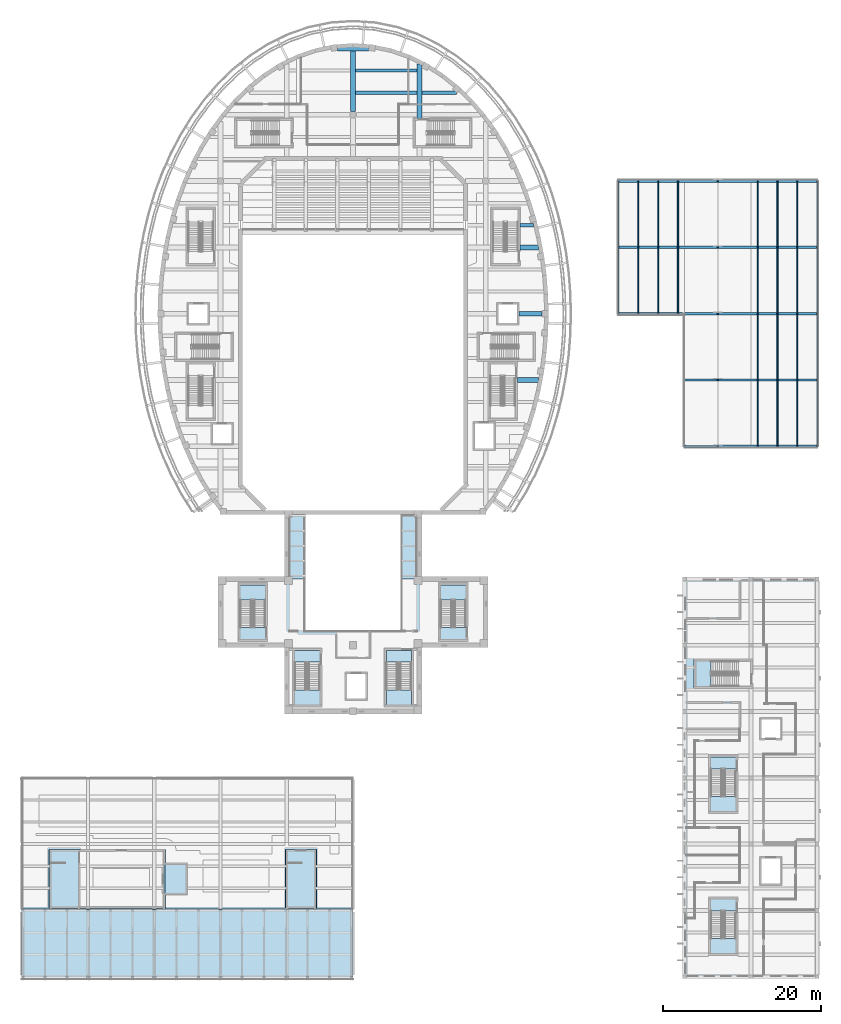
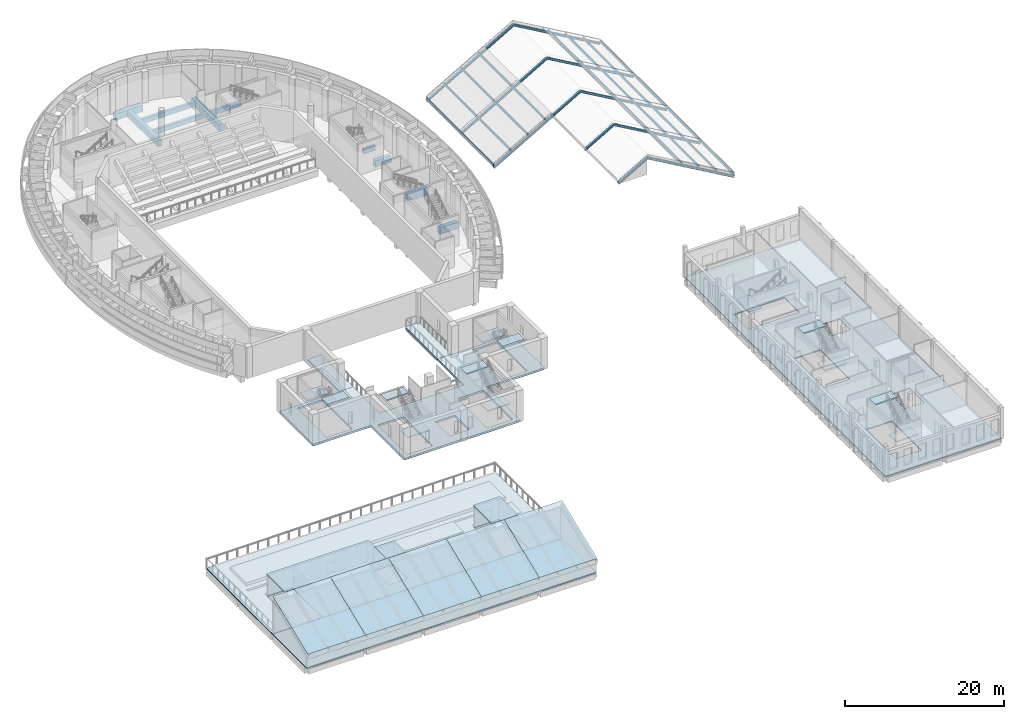
# One storey, part 4 of 37: 28 beams, 27 slabs, 7 elements without a shape of their own.
"""IFC4 building model written with IfcOpenShell, lengths in metres."""

from ifc_helpers import new_model, si_unit, direction, frame, origin, origin_2d, place, context, subcontext, project, spatial, polyline, rectangle, i_section, outline, extrude, material, layer, layer_set, material_profile, profile_set, type_object, element, aggregate, save


model = new_model("IFC4")

# Units and contexts
model_context = context("Model", 3, precision=1e-05, world=origin(), true_north=direction((0.0, 1.0)))
body_context = subcontext(model_context, "Body", "Model", "MODEL_VIEW")
ifc_project = project(units=[si_unit("LENGTHUNIT", "METRE"), si_unit("AREAUNIT", "SQUARE_METRE"), si_unit("VOLUMEUNIT", "CUBIC_METRE"), si_unit("PLANEANGLEUNIT", "RADIAN"), si_unit("MASSUNIT", "GRAM", prefix="KILO")], contexts=[model_context])

# Site, building, storey
site_placement = place(None, origin())
site = spatial("IfcSite", under=ifc_project, at=site_placement, CompositionType="ELEMENT")
building_placement = place(site_placement, origin())
building = spatial("IfcBuilding", under=site, at=building_placement, Name="Larchfold Concert Hall", CompositionType="ELEMENT")
storey_placement = place(building_placement, frame((0.0, 0.0, 19.199951171875)))
storey = spatial("IfcBuildingStorey", under=building, at=storey_placement, Name="L04", CompositionType="ELEMENT", Elevation=19.199951171875)

# Beams
ifc_material_1 = material(Name="Concrete C35/45", Category="concrete")
ifc_material_profile_1 = material_profile(ifc_material_1, rectangle(XDim=0.39990234375, YDim=0.699951171875, at=origin_2d()))
ifc_profile_set_1 = profile_set([ifc_material_profile_1], Name="Concrete C35/45")
beam_type_1 = type_object("IfcBeamType", Name="Beam RC 400x700", PredefinedType="BEAM", material=ifc_profile_set_1)
beam_1_placement = place(storey_placement, frame((63.75, 95.800048828125, -0.550048828125), z_axis=(1.0, 0.0, 0.0), x_axis=(0.0, 1.0, 0.0)))
element("IfcBeam", 1, at=beam_1_placement, inside=storey, type_object=beam_type_1, Name="Beam B1500", PredefinedType="BEAM", context=body_context, shape_type="SweptSolid", body=[
    extrude(rectangle(XDim=0.39990234375, YDim=0.699951171875, at=origin_2d()), origin(), (0.0, 0.0, 1.0), 1.72998046875),
])
beam_2_placement = place(storey_placement, frame((42.89990234375, 112.60009765625, -0.550048828125), z_axis=(1.0, 0.0, 0.0), x_axis=(0.0, 1.0, 0.0)))
element("IfcBeam", 2, at=beam_2_placement, inside=storey, type_object=beam_type_1, Name="Beam B1517", PredefinedType="BEAM", context=body_context, shape_type="SweptSolid", body=[
    extrude(rectangle(XDim=0.39990234375, YDim=0.699951171875, at=origin_2d()), origin(), (0.0, 0.0, 1.0), 7.800048828125),
])
beam_3_placement = place(storey_placement, frame((51.300048828125, 112.60009765625, -0.550048828125), z_axis=(1.0, 0.0, 0.0), x_axis=(0.0, 1.0, 0.0)))
element("IfcBeam", 3, at=beam_3_placement, inside=storey, type_object=beam_type_1, Name="Beam B1518", PredefinedType="BEAM", context=body_context, shape_type="SweptSolid", body=[
    extrude(rectangle(XDim=0.39990234375, YDim=0.699951171875, at=origin_2d()), origin(), (0.0, 0.0, 1.0), 4.395751953125),
])
beam_4_placement = place(storey_placement, frame((42.89990234375, 115.39990234375, -0.550048828125), z_axis=(1.0, 0.0, 0.0), x_axis=(0.0, 1.0, 0.0)))
element("IfcBeam", 4, at=beam_4_placement, inside=storey, type_object=beam_type_1, Name="Beam B1520", PredefinedType="BEAM", context=body_context, shape_type="SweptSolid", body=[
    extrude(rectangle(XDim=0.39990234375, YDim=0.699951171875, at=origin_2d()), origin(), (0.0, 0.0, 1.0), 7.800048828125),
])
ifc_material_2 = material(Name="Concrete C35/45", Category="concrete")
ifc_material_profile_2 = material_profile(ifc_material_2, rectangle(XDim=0.60009765625, YDim=1.0, at=origin_2d()))
ifc_profile_set_2 = profile_set([ifc_material_profile_2], Name="Concrete C35/45")
beam_type_2 = type_object("IfcBeamType", Name="Beam RC 600x1000", PredefinedType="BEAM", material=ifc_profile_set_2)
beam_5_placement = place(storey_placement, frame((42.60009765625, 110.1982421875, -0.699951171875), z_axis=(0.0, 1.0, 0.0), x_axis=(-1.0, 0.0, 0.0)))
element("IfcBeam", 5, at=beam_5_placement, inside=storey, type_object=beam_type_2, Name="Beam B1443", PredefinedType="BEAM", context=body_context, shape_type="SweptSolid", body=[
    extrude(rectangle(XDim=0.60009765625, YDim=1.0, at=origin_2d()), origin(), (0.0, 0.0, 1.0), 8.17138671875),
])
beam_6_placement = place(storey_placement, frame((51.0, 109.35009765625, -0.699951171875), z_axis=(0.0, 1.0, 0.0), x_axis=(-1.0, 0.0, 0.0)))
element("IfcBeam", 6, at=beam_6_placement, inside=storey, type_object=beam_type_2, Name="Beam B1445", PredefinedType="BEAM", context=body_context, shape_type="SweptSolid", body=[
    extrude(rectangle(XDim=0.60009765625, YDim=1.0, at=origin_2d()), origin(), (0.0, 0.0, 1.0), 6.893798828125),
])
beam_7_placement = place(storey_placement, frame((63.39990234375, 76.199951171875, -0.699951171875), z_axis=(1.0, 0.0, 0.0), x_axis=(0.0, 1.0, 0.0)))
element("IfcBeam", 7, at=beam_7_placement, inside=storey, type_object=beam_type_2, Name="Beam B1455", PredefinedType="BEAM", context=body_context, shape_type="SweptSolid", body=[
    extrude(rectangle(XDim=0.60009765625, YDim=1.0, at=origin_2d()), origin(), (0.0, 0.0, 1.0), 2.68994140625),
])
beam_8_placement = place(storey_placement, frame((63.60009765625, 84.60009765625, -0.699951171875), z_axis=(1.0, 0.0, 0.0), x_axis=(0.0, 1.0, 0.0)))
element("IfcBeam", 8, at=beam_8_placement, inside=storey, type_object=beam_type_2, Name="Beam B1459", PredefinedType="BEAM", context=body_context, shape_type="SweptSolid", body=[
    extrude(rectangle(XDim=0.60009765625, YDim=1.0, at=origin_2d()), origin(), (0.0, 0.0, 1.0), 2.949951171875),
])
beam_9_placement = place(storey_placement, frame((63.75, 93.0, -0.699951171875), z_axis=(1.0, 0.0, 0.0), x_axis=(0.0, 1.0, 0.0)))
element("IfcBeam", 9, at=beam_9_placement, inside=storey, type_object=beam_type_2, Name="Beam B1463", PredefinedType="BEAM", context=body_context, shape_type="SweptSolid", body=[
    extrude(rectangle(XDim=0.60009765625, YDim=1.0, at=origin_2d()), origin(), (0.0, 0.0, 1.0), 2.33984375),
])
beam_10_placement = place(storey_placement, frame((40.609619140625, 118.199951171875, -0.699951171875), z_axis=(1.0, 0.0, 0.0), x_axis=(0.0, 1.0, 0.0)))
element("IfcBeam", 10, at=beam_10_placement, inside=storey, type_object=beam_type_2, Name="Beam B1470", PredefinedType="BEAM", context=body_context, shape_type="SweptSolid", body=[
    extrude(rectangle(XDim=0.60009765625, YDim=1.0, at=origin_2d()), origin(), (0.0, 0.0, 1.0), 3.98095703125),
])
ifc_material_3 = material(Name="Glulam GL30c", Category="wood")
ifc_material_profile_3 = material_profile(ifc_material_3, rectangle(XDim=0.139892578125, YDim=0.360107421875, at=origin_2d()))
ifc_profile_set_3 = profile_set([ifc_material_profile_3], Name="Glulam GL30c")
beam_type_3 = type_object("IfcBeamType", Name="Glulam beam GL30c 140x360", PredefinedType="BEAM", material=ifc_profile_set_3)
for number, where, z_axis, x_axis, name in (
    (11, (76.199951171875, 84.580078125, -0.29541015625), (0.0, 1.0, 0.0), (-1.0, 0.0, 0.0), "Beam GL2080"),
    (12, (78.719970703125, 84.580078125, 1.159423828125), (0.0, 1.0, 0.0), (-1.0, 0.0, 0.0), "Beam GL2081"),
    (13, (81.239990234375, 84.580078125, 2.614501953125), (0.0, 1.0, 0.0), (-1.0, 0.0, 0.0), "Beam GL2082"),
    (14, (83.760009765625, 84.580078125, 4.0693359375), (0.0, 1.0, 0.0), (-1.0, 0.0, 0.0), "Beam GL2083"),
):
    element("IfcBeam", number, at=place(storey_placement, frame(where, z_axis=z_axis, x_axis=x_axis)), inside=storey, type_object=beam_type_3, Name=name, PredefinedType="BEAM", context=body_context, shape_type="SweptSolid", body=[
        extrude(rectangle(XDim=0.139892578125, YDim=0.360107421875, at=origin_2d()), origin(), (0.0, 0.0, 1.0), 16.81982421875),
    ])
for number, where, z_axis, x_axis, name in (
    (15, (93.840087890625, 67.800048828125, 4.0693359375), (0.0, 1.0, 0.0), (-1.0, 0.0, 0.0), "Beam GL2086"),
    (16, (96.360107421875, 67.800048828125, 2.614501953125), (0.0, 1.0, 0.0), (-1.0, 0.0, 0.0), "Beam GL2087"),
    (17, (98.8798828125, 67.800048828125, 1.159423828125), (0.0, 1.0, 0.0), (-1.0, 0.0, 0.0), "Beam GL2088"),
    (18, (101.39990234375, 67.800048828125, -0.29541015625), (0.0, 1.0, 0.0), (-1.0, 0.0, 0.0), "Beam GL2089"),
):
    element("IfcBeam", number, at=place(storey_placement, frame(where, z_axis=z_axis, x_axis=x_axis)), inside=storey, type_object=beam_type_3, Name=name, PredefinedType="BEAM", context=body_context, shape_type="SweptSolid", body=[
        extrude(rectangle(XDim=0.139892578125, YDim=0.360107421875, at=origin_2d()), origin(), (0.0, 0.0, 1.0), 33.599853515625),
    ])
ifc_material_4 = material(Name="Steel S355", Category="steel")
ifc_material_profile_4 = material_profile(ifc_material_4, i_section(OverallWidth=0.300048828125, OverallDepth=0.300048828125, WebThickness=0.010986328125, FlangeThickness=0.01904296875, FilletRadius=0.027099609375, at=origin_2d()))
ifc_profile_set_4 = profile_set([ifc_material_profile_4], Name="Steel S355")
beam_type_4 = type_object("IfcBeamType", Name="Steel beam HEB 300", PredefinedType="BEAM", material=ifc_profile_set_4)
beam_11_placement = place(storey_placement, frame((84.580078125, 67.800048828125, 4.212890625), z_axis=(0.866036238319, 0.0, 0.499981233566), x_axis=(0.0, 1.0, 0.0)))
element("IfcBeam", 19, at=beam_11_placement, inside=storey, type_object=beam_type_4, Name="Beam B2070", PredefinedType="BEAM", context=body_context, shape_type="SweptSolid", body=[
    extrude(i_section(OverallWidth=0.300048828125, OverallDepth=0.300048828125, WebThickness=0.010986328125, FlangeThickness=0.01904296875, FilletRadius=0.027099609375, at=origin_2d()), origin(), (0.0, 0.0, 1.0), 4.872802734375),
])
beam_12_placement = place(storey_placement, frame((88.800048828125, 67.800048828125, 6.649169921875), z_axis=(0.866021553013, 0.0, -0.500006669672), x_axis=(0.0, 1.0, 0.0)))
element("IfcBeam", 20, at=beam_12_placement, inside=storey, type_object=beam_type_4, Name="Beam B2071", PredefinedType="BEAM", context=body_context, shape_type="SweptSolid", body=[
    extrude(i_section(OverallWidth=0.300048828125, OverallDepth=0.300048828125, WebThickness=0.010986328125, FlangeThickness=0.01904296875, FilletRadius=0.027099609375, at=origin_2d()), origin(), (0.0, 0.0, 1.0), 14.549072265625),
])
beam_13_placement = place(storey_placement, frame((84.580078125, 76.199951171875, 4.212890625), z_axis=(0.866036238319, 0.0, 0.499981233566), x_axis=(0.0, 1.0, 0.0)))
element("IfcBeam", 21, at=beam_13_placement, inside=storey, type_object=beam_type_4, Name="Beam B2072", PredefinedType="BEAM", context=body_context, shape_type="SweptSolid", body=[
    extrude(i_section(OverallWidth=0.300048828125, OverallDepth=0.300048828125, WebThickness=0.010986328125, FlangeThickness=0.01904296875, FilletRadius=0.027099609375, at=origin_2d()), origin(), (0.0, 0.0, 1.0), 4.872802734375),
])
beam_14_placement = place(storey_placement, frame((88.800048828125, 76.199951171875, 6.649169921875), z_axis=(0.866021553013, 0.0, -0.500006669672), x_axis=(0.0, 1.0, 0.0)))
element("IfcBeam", 22, at=beam_14_placement, inside=storey, type_object=beam_type_4, Name="Beam B2073", PredefinedType="BEAM", context=body_context, shape_type="SweptSolid", body=[
    extrude(i_section(OverallWidth=0.300048828125, OverallDepth=0.300048828125, WebThickness=0.010986328125, FlangeThickness=0.01904296875, FilletRadius=0.027099609375, at=origin_2d()), origin(), (0.0, 0.0, 1.0), 14.549072265625),
])
beam_15_placement = place(storey_placement, frame((76.199951171875, 84.60009765625, -0.62548828125), z_axis=(0.866025748143, 0.0, 0.499999403554), x_axis=(0.0, 1.0, 0.0)))
element("IfcBeam", 23, at=beam_15_placement, inside=storey, type_object=beam_type_4, Name="Beam B2074", PredefinedType="BEAM", context=body_context, shape_type="SweptSolid", body=[
    extrude(i_section(OverallWidth=0.300048828125, OverallDepth=0.300048828125, WebThickness=0.010986328125, FlangeThickness=0.01904296875, FilletRadius=0.027099609375, at=origin_2d()), origin(), (0.0, 0.0, 1.0), 14.54931640625),
])
beam_16_placement = place(storey_placement, frame((88.800048828125, 84.60009765625, 6.649169921875), z_axis=(0.866021553013, 0.0, -0.500006669672), x_axis=(0.0, 1.0, 0.0)))
element("IfcBeam", 24, at=beam_16_placement, inside=storey, type_object=beam_type_4, Name="Beam B2075", PredefinedType="BEAM", context=body_context, shape_type="SweptSolid", body=[
    extrude(i_section(OverallWidth=0.300048828125, OverallDepth=0.300048828125, WebThickness=0.010986328125, FlangeThickness=0.01904296875, FilletRadius=0.027099609375, at=origin_2d()), origin(), (0.0, 0.0, 1.0), 14.549072265625),
])
beam_17_placement = place(storey_placement, frame((76.199951171875, 93.0, -0.62548828125), z_axis=(0.866025748143, 0.0, 0.499999403554), x_axis=(0.0, 1.0, 0.0)))
element("IfcBeam", 25, at=beam_17_placement, inside=storey, type_object=beam_type_4, Name="Beam B2076", PredefinedType="BEAM", context=body_context, shape_type="SweptSolid", body=[
    extrude(i_section(OverallWidth=0.300048828125, OverallDepth=0.300048828125, WebThickness=0.010986328125, FlangeThickness=0.01904296875, FilletRadius=0.027099609375, at=origin_2d()), origin(), (0.0, 0.0, 1.0), 14.54931640625),
])
beam_18_placement = place(storey_placement, frame((88.800048828125, 93.0, 6.649169921875), z_axis=(0.866021553013, 0.0, -0.500006669672), x_axis=(0.0, 1.0, 0.0)))
element("IfcBeam", 26, at=beam_18_placement, inside=storey, type_object=beam_type_4, Name="Beam B2077", PredefinedType="BEAM", context=body_context, shape_type="SweptSolid", body=[
    extrude(i_section(OverallWidth=0.300048828125, OverallDepth=0.300048828125, WebThickness=0.010986328125, FlangeThickness=0.01904296875, FilletRadius=0.027099609375, at=origin_2d()), origin(), (0.0, 0.0, 1.0), 14.549072265625),
])
beam_19_placement = place(storey_placement, frame((76.199951171875, 101.39990234375, -0.62548828125), z_axis=(0.866025748143, 0.0, 0.499999403554), x_axis=(0.0, 1.0, 0.0)))
element("IfcBeam", 27, at=beam_19_placement, inside=storey, type_object=beam_type_4, Name="Beam B2078", PredefinedType="BEAM", context=body_context, shape_type="SweptSolid", body=[
    extrude(i_section(OverallWidth=0.300048828125, OverallDepth=0.300048828125, WebThickness=0.010986328125, FlangeThickness=0.01904296875, FilletRadius=0.027099609375, at=origin_2d()), origin(), (0.0, 0.0, 1.0), 14.54931640625),
])
beam_20_placement = place(storey_placement, frame((88.800048828125, 101.39990234375, 6.649169921875), z_axis=(0.866021553013, 0.0, -0.500006669672), x_axis=(0.0, 1.0, 0.0)))
element("IfcBeam", 28, at=beam_20_placement, inside=storey, type_object=beam_type_4, Name="Beam B2079", PredefinedType="BEAM", context=body_context, shape_type="SweptSolid", body=[
    extrude(i_section(OverallWidth=0.300048828125, OverallDepth=0.300048828125, WebThickness=0.010986328125, FlangeThickness=0.01904296875, FilletRadius=0.027099609375, at=origin_2d()), origin(), (0.0, 0.0, 1.0), 14.549072265625),
])

# Slabs
ifc_material_5 = material(Name="Steel S355", Category="steel")
ifc_layer_1 = layer(ifc_material_5, 0.10009765625)
ifc_layer_set_1 = layer_set([ifc_layer_1], Name="Steel S355")
slab_type_1 = type_object("IfcSlabType", Name="Roof plate 100 insulated", PredefinedType="ROOF", material=ifc_layer_set_1)
for number, where, z_axis, x_axis, name in (
    (29, (9.0, 0.300048828125, 2.263916015625), (0.0, -0.371399508668, 0.928473157911), (0.0, 0.928473157911, 0.371399508668), "Roof plate FP048"),
    (30, (17.39990234375, 0.300048828125, 2.263916015625), (0.0, -0.371399508668, 0.928473157911), (0.0, 0.928473157911, 0.371399508668), "Roof plate FP049"),
):
    element("IfcSlab", number, at=place(storey_placement, frame(where, z_axis=z_axis, x_axis=x_axis)), inside=storey, type_object=slab_type_1, Name=name, PredefinedType="ROOF", context=body_context, shape_type="SweptSolid", body=[
        extrude(outline(polyline([(0.0, 0.0), (9.531620209179867, 0.0), (9.531620209179867, 8.39990234375), (0.0, 8.39990234375), (0.0, 0.0)])), origin(), (0.0, 0.0, -1.0), 0.10009765625),
    ])
slab_1_placement = place(storey_placement, frame((25.800048828125, 0.300048828125, 2.263916015625), z_axis=(0.0, -0.371399508668, 0.928473157911), x_axis=(0.0, 0.928473157911, 0.371399508668)))
element("IfcSlab", 31, at=slab_1_placement, inside=storey, type_object=slab_type_1, Name="Roof plate FP050", PredefinedType="ROOF", context=body_context, shape_type="SweptSolid", body=[
    extrude(outline(polyline([(0.0, 0.0), (9.531620209179867, 0.0), (9.531620209179867, 8.400146484375), (0.0, 8.400146484375), (0.0, 0.0)])), origin(), (0.0, 0.0, -1.0), 0.10009765625),
])
slab_2_placement = place(storey_placement, frame((34.199951171875, 0.300048828125, 2.263916015625), z_axis=(0.0, -0.371399508668, 0.928473157911), x_axis=(0.0, 0.928473157911, 0.371399508668)))
element("IfcSlab", 32, at=slab_2_placement, inside=storey, type_object=slab_type_1, Name="Roof plate FP051", PredefinedType="ROOF", context=body_context, shape_type="SweptSolid", body=[
    extrude(outline(polyline([(0.0, 0.0), (9.531620209179867, 0.0), (9.531620209179867, 8.39990234375), (0.0, 8.39990234375), (0.0, 0.0)])), origin(), (0.0, 0.0, -1.0), 0.10009765625),
])
slab_3_placement = place(storey_placement, frame((42.60009765625, 0.300048828125, 2.263916015625), z_axis=(0.0, -0.371399508668, 0.928473157911), x_axis=(0.0, 0.928473157911, 0.371399508668)))
element("IfcSlab", 33, at=slab_3_placement, inside=storey, type_object=slab_type_1, Name="Roof plate FP052", PredefinedType="ROOF", context=body_context, shape_type="SweptSolid", body=[
    extrude(outline(polyline([(0.0, 0.0), (9.531620209179867, 0.0), (9.531620209179867, 8.400146484375), (0.0, 8.400146484375), (0.0, 0.0)])), origin(), (0.0, 0.0, -1.0), 0.10009765625),
])
ifc_material_6 = material(Name="Concrete C35/45", Category="concrete")
ifc_layer_2 = layer(ifc_material_6, 0.139892578125)
ifc_layer_set_2 = layer_set([ifc_layer_2], Name="Concrete C35/45")
slab_type_2 = type_object("IfcSlabType", Name="Roof slab 140 planted", PredefinedType="ROOF", material=ifc_layer_set_2)
slab_4_placement = place(storey_placement, frame((0.0, 0.0, -0.14013671875)))
element("IfcSlab", 34, at=slab_4_placement, inside=storey, type_object=slab_type_2, Name="Slab S0001", PredefinedType="ROOF", context=body_context, shape_type="SweptSolid", body=[
    extrude(outline(polyline([(0.60009765625, 25.800048828125), (0.60009765625, 9.14990234375), (42.60009765625, 9.14990234375), (42.60009765625, 25.800048828125), (0.60009765625, 25.800048828125)]), holes=[polyline([(7.85009765625, 16.699951171875), (7.85009765625, 9.300048828125), (4.14990234375, 9.300048828125), (4.14990234375, 16.699951171875), (7.85009765625, 16.699951171875)]), polyline([(21.39990234375, 11.199951171875), (18.60009765625, 11.199951171875), (18.60009765625, 14.800048828125), (21.39990234375, 14.800048828125), (21.39990234375, 11.199951171875)]), polyline([(37.85009765625, 9.300048828125), (34.14990234375, 9.300048828125), (34.14990234375, 16.699951171875), (37.85009765625, 16.699951171875), (37.85009765625, 9.300048828125)])]), origin(), (0.0, 0.0, 1.0), 0.14013671875),
])
ifc_material_7 = material(Name="Concrete C35/45", Category="concrete")
ifc_layer_3 = layer(ifc_material_7, 0.139892578125)
ifc_layer_set_3 = layer_set([ifc_layer_3], Name="Concrete C35/45")
slab_type_3 = type_object("IfcSlabType", Name="Slab 140 roof space floor", PredefinedType="FLOOR", material=ifc_layer_set_3)
slab_5_placement = place(storey_placement, frame((0.0, 0.0, -0.14013671875)))
element("IfcSlab", 35, at=slab_5_placement, inside=storey, type_object=slab_type_3, Name="Slab S0007", PredefinedType="FLOOR", context=body_context, shape_type="SweptSolid", body=[
    extrude(outline(polyline([(42.60009765625, 0.60009765625), (42.60009765625, 9.14990234375), (0.60009765625, 9.14990234375), (0.60009765625, 0.60009765625), (42.60009765625, 0.60009765625)])), origin(), (0.0, 0.0, 1.0), 0.14013671875),
])
ifc_material_8 = material(Name="Concrete C35/45", Category="concrete")
ifc_layer_4 = layer(ifc_material_8, 0.159912109375)
ifc_layer_set_4 = layer_set([ifc_layer_4], Name="Concrete C35/45")
slab_type_4 = type_object("IfcSlabType", Name="Slab 160", PredefinedType="FLOOR", material=ifc_layer_set_4)
slab_6_placement = place(storey_placement, frame((0.0, 0.0, -0.16015625)))
element("IfcSlab", 36, at=slab_6_placement, inside=storey, type_object=slab_type_4, Name="Slab S0002", PredefinedType="FLOOR", context=body_context, shape_type="SweptSolid", body=[
    extrude(outline(polyline([(84.60009765625, 0.60009765625), (101.39990234375, 0.60009765625), (101.39990234375, 51.0), (84.60009765625, 51.0), (84.60009765625, 0.60009765625)]), holes=[polyline([(87.64990234375, 3.300048828125), (87.64990234375, 10.699951171875), (91.35009765625, 10.699951171875), (91.35009765625, 3.300048828125), (87.64990234375, 3.300048828125)]), polyline([(94.10009765625, 12.199951171875), (94.10009765625, 15.800048828125), (96.89990234375, 15.800048828125), (96.89990234375, 12.199951171875), (94.10009765625, 12.199951171875)]), polyline([(87.64990234375, 21.300048828125), (87.64990234375, 28.699951171875), (91.35009765625, 28.699951171875), (91.35009765625, 21.300048828125), (87.64990234375, 21.300048828125)]), polyline([(94.10009765625, 33.39990234375), (96.89990234375, 33.39990234375), (96.89990234375, 30.60009765625), (94.10009765625, 30.60009765625), (94.10009765625, 33.39990234375)]), polyline([(85.800048828125, 40.85009765625), (93.199951171875, 40.85009765625), (93.199951171875, 37.14990234375), (85.800048828125, 37.14990234375), (85.800048828125, 40.85009765625)])]), origin(), (0.0, 0.0, 1.0), 0.16015625),
])
ifc_material_9 = material(Name="Concrete C35/45", Category="concrete")
ifc_layer_5 = layer(ifc_material_9, 0.199951171875)
ifc_layer_set_5 = layer_set([ifc_layer_5], Name="Concrete C35/45")
slab_type_5 = type_object("IfcSlabType", Name="Slab 200 external", PredefinedType="ROOF", material=ifc_layer_set_5)
slab_7_placement = place(storey_placement, frame((0.0, 0.0, 3.300048828125)))
element("IfcSlab", 37, at=slab_7_placement, inside=storey, type_object=slab_type_5, Name="Slab HR0001", PredefinedType="ROOF", context=body_context, shape_type="SweptSolid", body=[
    extrude(outline(polyline([(18.85009765625, 9.300048828125), (18.85009765625, 16.699951171875), (4.050048828125, 16.699951171875), (4.050048828125, 9.300048828125), (18.85009765625, 9.300048828125)])), origin(), (0.0, 0.0, 1.0), 0.199951171875),
])
slab_8_placement = place(storey_placement, frame((0.0, 0.0, 3.300048828125)))
element("IfcSlab", 38, at=slab_8_placement, inside=storey, type_object=slab_type_5, Name="Slab HR0002", PredefinedType="ROOF", context=body_context, shape_type="SweptSolid", body=[
    extrude(outline(polyline([(37.949951171875, 9.300048828125), (37.949951171875, 16.699951171875), (34.050048828125, 16.699951171875), (34.050048828125, 9.300048828125), (37.949951171875, 9.300048828125)])), origin(), (0.0, 0.0, 1.0), 0.199951171875),
])
slab_9_placement = place(storey_placement, frame((0.0, 0.0, 3.300048828125)))
element("IfcSlab", 39, at=slab_9_placement, inside=storey, type_object=slab_type_5, Name="Slab HR0003", PredefinedType="ROOF", context=body_context, shape_type="SweptSolid", body=[
    extrude(outline(polyline([(21.599853515625, 11.0), (21.599853515625, 15.0), (18.75, 15.0), (18.75, 11.0), (21.599853515625, 11.0)])), origin(), (0.0, 0.0, 1.0), 0.199951171875),
])
ifc_material_10 = material(Name="Concrete C35/45", Category="concrete")
ifc_layer_6 = layer(ifc_material_10, 0.280029296875)
ifc_layer_set_6 = layer_set([ifc_layer_6], Name="Concrete C35/45")
slab_type_6 = type_object("IfcSlabType", Name="Slab 280 flat plate", PredefinedType="FLOOR", material=ifc_layer_set_6)
slab_10_placement = place(storey_placement, frame((0.0, 0.0, -0.280029296875)))
element("IfcSlab", 40, at=slab_10_placement, inside=storey, type_object=slab_type_6, Name="Slab S0003", PredefinedType="FLOOR", context=body_context, shape_type="SweptSolid", body=[
    extrude(outline(polyline([(59.39990234375, 51.0), (51.0, 51.0), (48.699951171875, 51.0), (48.699951171875, 44.39990234375), (36.5, 44.39990234375), (36.5, 51.0), (34.199951171875, 51.0), (34.199951171875, 59.39990234375), (34.199951171875, 51.0), (25.800048828125, 51.0), (25.800048828125, 42.60009765625), (34.199951171875, 42.60009765625), (34.199951171875, 34.199951171875), (51.0, 34.199951171875), (51.0, 42.60009765625), (59.39990234375, 42.60009765625), (59.39990234375, 51.0)]), holes=[polyline([(41.60009765625, 35.60009765625), (41.60009765625, 39.199951171875), (44.39990234375, 39.199951171875), (44.39990234375, 35.60009765625), (41.60009765625, 35.60009765625)]), polyline([(34.949951171875, 42.199951171875), (38.64990234375, 42.199951171875), (38.64990234375, 34.800048828125), (34.949951171875, 34.800048828125), (34.949951171875, 42.199951171875)]), polyline([(46.550048828125, 42.199951171875), (50.25, 42.199951171875), (50.25, 34.800048828125), (46.550048828125, 34.800048828125), (46.550048828125, 42.199951171875)]), polyline([(28.050048828125, 50.5), (31.75, 50.5), (31.75, 43.10009765625), (28.050048828125, 43.10009765625), (28.050048828125, 50.5)]), polyline([(53.449951171875, 50.5), (57.14990234375, 50.5), (57.14990234375, 43.10009765625), (53.449951171875, 43.10009765625), (53.449951171875, 50.5)])]), origin(), (0.0, 0.0, 1.0), 0.280029296875),
])
slab_11_placement = place(storey_placement, frame((0.0, 0.0, -0.280029296875)))
element("IfcSlab", 41, at=slab_11_placement, inside=storey, type_object=slab_type_6, Name="Slab S0005", PredefinedType="FLOOR", context=body_context, shape_type="SweptSolid", body=[
    extrude(outline(polyline([(36.5, 51.0), (36.5, 59.10009765625), (34.5, 59.10009765625), (34.5, 51.0), (36.5, 51.0)])), origin(), (0.0, 0.0, 1.0), 0.280029296875),
])
slab_12_placement = place(storey_placement, frame((0.0, 0.0, -0.280029296875)))
element("IfcSlab", 42, at=slab_12_placement, inside=storey, type_object=slab_type_6, Name="Slab S0006", PredefinedType="FLOOR", context=body_context, shape_type="SweptSolid", body=[
    extrude(outline(polyline([(50.699951171875, 51.0), (50.699951171875, 59.10009765625), (48.699951171875, 59.10009765625), (48.699951171875, 51.0), (50.699951171875, 51.0)])), origin(), (0.0, 0.0, 1.0), 0.280029296875),
])

# Stair, slabs
ifc_material_11 = material(Name="Concrete C35/45", Category="concrete")
stair_type = type_object("IfcStairType", Name="Stair RC half-turn enclosed", PredefinedType="HALF_TURN_STAIR", material=ifc_material_11)
stair_1_placement = place(storey_placement, origin())
stair_1 = element("IfcStair", 43, at=stair_1_placement, inside=storey, type_object=stair_type, Name="Stair SH1", PredefinedType="HALF_TURN_STAIR")
ifc_material_12 = material(Name="Concrete C35/45", Category="concrete")
ifc_layer_7 = layer(ifc_material_12, 0.199951171875)
ifc_layer_set_7 = layer_set([ifc_layer_7], Name="Concrete C35/45")
slab_type_7 = type_object("IfcSlabType", Name="Stair landing RC 200", PredefinedType="LANDING", material=ifc_layer_set_7)
slab_13_placement = place(storey_placement, frame((0.0, 0.0, 2.199951171875)))
slab_13 = element("IfcSlab", 44, at=slab_13_placement, type_object=slab_type_7, Name="ST09 landing 1", PredefinedType="LANDING", context=body_context, shape_type="SweptSolid", body=[
    extrude(outline(polyline([(31.5, 48.360107421875), (31.5, 50.25), (28.300048828125, 50.25), (28.300048828125, 48.360107421875), (31.5, 48.360107421875)])), origin(), (0.0, 0.0, 1.0), 0.2001953125),
])
slab_14_placement = place(storey_placement, frame((0.0, 0.0, 4.60009765625)))
slab_14 = element("IfcSlab", 45, at=slab_14_placement, type_object=slab_type_7, Name="ST09 landing 2", PredefinedType="LANDING", context=body_context, shape_type="SweptSolid", body=[
    extrude(outline(polyline([(31.5, 43.35009765625), (31.5, 44.85009765625), (28.300048828125, 44.85009765625), (28.300048828125, 43.35009765625), (31.5, 43.35009765625)])), origin(), (0.0, 0.0, 1.0), 0.199951171875),
])
aggregate(stair_1, [slab_13, slab_14])

stair_2_placement = place(storey_placement, origin())
stair_2 = element("IfcStair", 46, at=stair_2_placement, inside=storey, type_object=stair_type, Name="Stair SH2", PredefinedType="HALF_TURN_STAIR")
slab_15_placement = place(storey_placement, frame((0.0, 0.0, 2.199951171875)))
slab_15 = element("IfcSlab", 47, at=slab_15_placement, type_object=slab_type_7, Name="ST10 landing 1", PredefinedType="LANDING", context=body_context, shape_type="SweptSolid", body=[
    extrude(outline(polyline([(56.89990234375, 48.360107421875), (56.89990234375, 50.25), (53.699951171875, 50.25), (53.699951171875, 48.360107421875), (56.89990234375, 48.360107421875)])), origin(), (0.0, 0.0, 1.0), 0.2001953125),
])
slab_16_placement = place(storey_placement, frame((0.0, 0.0, 4.60009765625)))
slab_16 = element("IfcSlab", 48, at=slab_16_placement, type_object=slab_type_7, Name="ST10 landing 2", PredefinedType="LANDING", context=body_context, shape_type="SweptSolid", body=[
    extrude(outline(polyline([(56.89990234375, 43.35009765625), (56.89990234375, 44.85009765625), (53.699951171875, 44.85009765625), (53.699951171875, 43.35009765625), (56.89990234375, 43.35009765625)])), origin(), (0.0, 0.0, 1.0), 0.199951171875),
])
aggregate(stair_2, [slab_15, slab_16])

stair_3_placement = place(storey_placement, origin())
stair_3 = element("IfcStair", 49, at=stair_3_placement, inside=storey, type_object=stair_type, Name="Stair SH3", PredefinedType="HALF_TURN_STAIR")
slab_17_placement = place(storey_placement, frame((0.0, 0.0, 2.199951171875)))
slab_17 = element("IfcSlab", 50, at=slab_17_placement, type_object=slab_type_7, Name="ST11 landing 1", PredefinedType="LANDING", context=body_context, shape_type="SweptSolid", body=[
    extrude(outline(polyline([(35.199951171875, 36.93994140625), (35.199951171875, 35.050048828125), (38.39990234375, 35.050048828125), (38.39990234375, 36.93994140625), (35.199951171875, 36.93994140625)])), origin(), (0.0, 0.0, 1.0), 0.2001953125),
])
slab_18_placement = place(storey_placement, frame((0.0, 0.0, 4.60009765625)))
slab_18 = element("IfcSlab", 51, at=slab_18_placement, type_object=slab_type_7, Name="ST11 landing 2", PredefinedType="LANDING", context=body_context, shape_type="SweptSolid", body=[
    extrude(outline(polyline([(35.199951171875, 41.949951171875), (35.199951171875, 40.449951171875), (38.39990234375, 40.449951171875), (38.39990234375, 41.949951171875), (35.199951171875, 41.949951171875)])), origin(), (0.0, 0.0, 1.0), 0.199951171875),
])
aggregate(stair_3, [slab_17, slab_18])

stair_4_placement = place(storey_placement, origin())
stair_4 = element("IfcStair", 52, at=stair_4_placement, inside=storey, type_object=stair_type, Name="Stair SH4", PredefinedType="HALF_TURN_STAIR")
slab_19_placement = place(storey_placement, frame((0.0, 0.0, 2.199951171875)))
slab_19 = element("IfcSlab", 53, at=slab_19_placement, type_object=slab_type_7, Name="ST12 landing 1", PredefinedType="LANDING", context=body_context, shape_type="SweptSolid", body=[
    extrude(outline(polyline([(46.800048828125, 36.93994140625), (46.800048828125, 35.050048828125), (50.0, 35.050048828125), (50.0, 36.93994140625), (46.800048828125, 36.93994140625)])), origin(), (0.0, 0.0, 1.0), 0.2001953125),
])
slab_20_placement = place(storey_placement, frame((0.0, 0.0, 4.60009765625)))
slab_20 = element("IfcSlab", 54, at=slab_20_placement, type_object=slab_type_7, Name="ST12 landing 2", PredefinedType="LANDING", context=body_context, shape_type="SweptSolid", body=[
    extrude(outline(polyline([(46.800048828125, 41.949951171875), (46.800048828125, 40.449951171875), (50.0, 40.449951171875), (50.0, 41.949951171875), (46.800048828125, 41.949951171875)])), origin(), (0.0, 0.0, 1.0), 0.199951171875),
])
aggregate(stair_4, [slab_19, slab_20])

stair_5_placement = place(storey_placement, origin())
stair_5 = element("IfcStair", 55, at=stair_5_placement, inside=storey, type_object=stair_type, Name="Stair AW1", PredefinedType="HALF_TURN_STAIR")
slab_21_placement = place(storey_placement, frame((0.0, 0.0, 2.199951171875)))
slab_21 = element("IfcSlab", 56, at=slab_21_placement, type_object=slab_type_7, Name="ST13 landing 1", PredefinedType="LANDING", context=body_context, shape_type="SweptSolid", body=[
    extrude(outline(polyline([(87.89990234375, 5.43994140625), (87.89990234375, 3.550048828125), (91.099853515625, 3.550048828125), (91.099853515625, 5.43994140625), (87.89990234375, 5.43994140625)])), origin(), (0.0, 0.0, 1.0), 0.2001953125),
])
slab_22_placement = place(storey_placement, frame((0.0, 0.0, 4.60009765625)))
slab_22 = element("IfcSlab", 57, at=slab_22_placement, type_object=slab_type_7, Name="ST13 landing 2", PredefinedType="LANDING", context=body_context, shape_type="SweptSolid", body=[
    extrude(outline(polyline([(87.89990234375, 10.449951171875), (87.89990234375, 8.949951171875), (91.10009765625, 8.949951171875), (91.10009765625, 10.449951171875), (87.89990234375, 10.449951171875)])), origin(), (0.0, 0.0, 1.0), 0.199951171875),
])
aggregate(stair_5, [slab_21, slab_22])

stair_6_placement = place(storey_placement, origin())
stair_6 = element("IfcStair", 58, at=stair_6_placement, inside=storey, type_object=stair_type, Name="Stair AW2", PredefinedType="HALF_TURN_STAIR")
slab_23_placement = place(storey_placement, frame((0.0, 0.0, 2.199951171875)))
slab_23 = element("IfcSlab", 59, at=slab_23_placement, type_object=slab_type_7, Name="ST14 landing 1", PredefinedType="LANDING", context=body_context, shape_type="SweptSolid", body=[
    extrude(outline(polyline([(87.89990234375, 23.43994140625), (87.89990234375, 21.550048828125), (91.099853515625, 21.550048828125), (91.099853515625, 23.43994140625), (87.89990234375, 23.43994140625)])), origin(), (0.0, 0.0, 1.0), 0.2001953125),
])
slab_24_placement = place(storey_placement, frame((0.0, 0.0, 4.60009765625)))
slab_24 = element("IfcSlab", 60, at=slab_24_placement, type_object=slab_type_7, Name="ST14 landing 2", PredefinedType="LANDING", context=body_context, shape_type="SweptSolid", body=[
    extrude(outline(polyline([(87.89990234375, 28.449951171875), (87.89990234375, 26.949951171875), (91.10009765625, 26.949951171875), (91.10009765625, 28.449951171875), (87.89990234375, 28.449951171875)])), origin(), (0.0, 0.0, 1.0), 0.199951171875),
])
aggregate(stair_6, [slab_23, slab_24])

# Stair, slab
stair_7_placement = place(storey_placement, origin())
stair_7 = element("IfcStair", 61, at=stair_7_placement, inside=storey, type_object=stair_type, Name="Stair AW3", PredefinedType="HALF_TURN_STAIR")
slab_25_placement = place(storey_placement, frame((0.0, 0.0, 2.199951171875)))
slab_25 = element("IfcSlab", 62, at=slab_25_placement, type_object=slab_type_7, Name="ST15 landing 1", PredefinedType="LANDING", context=body_context, shape_type="SweptSolid", body=[
    extrude(outline(polyline([(87.93994140625, 40.60009765625), (86.050048828125, 40.60009765625), (86.050048828125, 37.400146484375), (87.93994140625, 37.400146484375), (87.93994140625, 40.60009765625)])), origin(), (0.0, 0.0, 1.0), 0.2001953125),
])
aggregate(stair_7, [slab_25])

save(model, "model.ifc")
